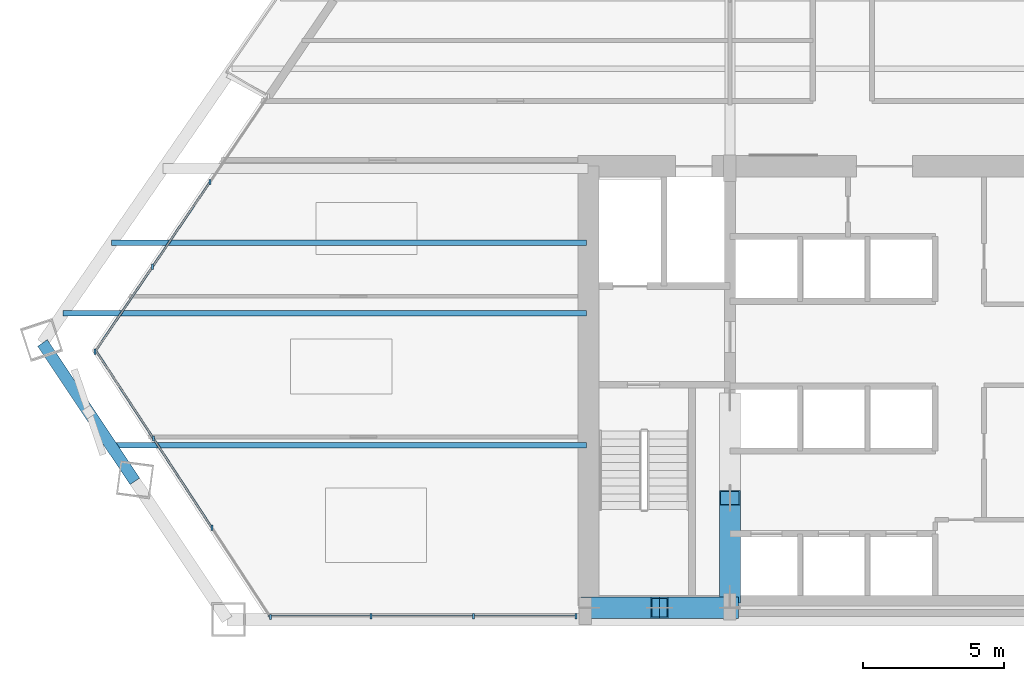
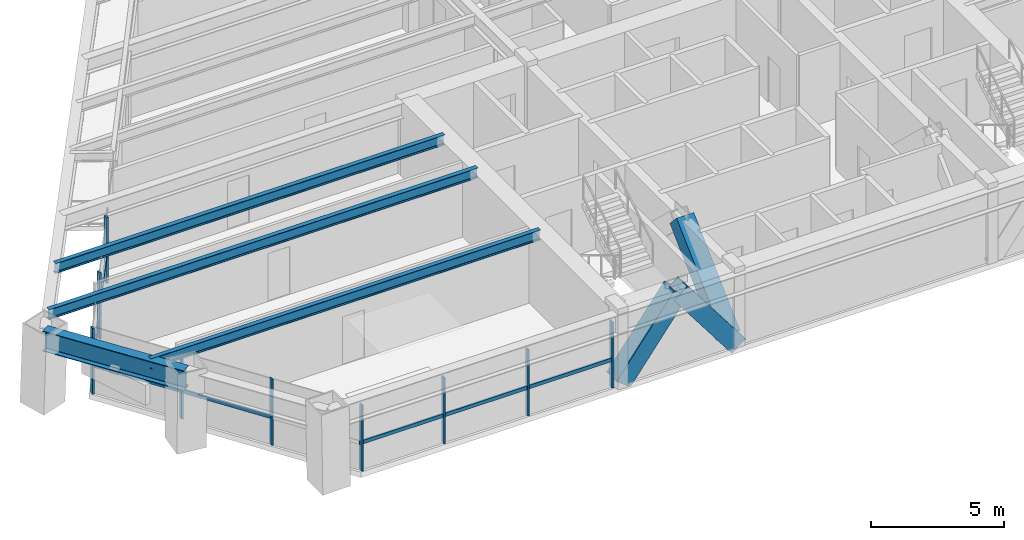
# One storey, part 2 of 14: 19 members, 4 beams, 3 elements without a shape of their own.
"""IFC4 building model written with IfcOpenShell, lengths in metres."""

from ifc_helpers import new_model, si_unit, direction, frame, origin, origin_2d, place, context, subcontext, project, spatial, rectangle, hollow_rectangle, i_section, extrude, source, transform, mapped, material, material_profile, profile_set, type_object, element, aggregate, save


model = new_model("IFC4")

# Units and contexts
model_context = context("Model", 3, precision=1e-05, world=origin(), true_north=direction((0.0, 1.0)))
body_context = subcontext(model_context, "Body", "Model", "MODEL_VIEW")
ifc_project = project(units=[si_unit("LENGTHUNIT", "METRE"), si_unit("AREAUNIT", "SQUARE_METRE"), si_unit("VOLUMEUNIT", "CUBIC_METRE"), si_unit("PLANEANGLEUNIT", "RADIAN"), si_unit("MASSUNIT", "GRAM", prefix="KILO")], contexts=[model_context])

# Site, building, storey
site_placement = place(None, origin())
site = spatial("IfcSite", under=ifc_project, at=site_placement, CompositionType="ELEMENT")
building_placement = place(site_placement, origin())
building = spatial("IfcBuilding", under=site, at=building_placement, Name="Varnakhor Terracotta Tower", CompositionType="ELEMENT")
storey_placement = place(building_placement, frame((0.0, 0.0, 76.60009765625)))
storey = spatial("IfcBuildingStorey", under=building, at=storey_placement, Name="L18", CompositionType="ELEMENT", Elevation=76.60009765625)

# Members
ifc_material_1 = material(Name="Steel S460", Category="steel")
ifc_material_profile_1 = material_profile(ifc_material_1, hollow_rectangle(XDim=0.75, YDim=0.75, WallThickness=0.044921875, at=origin_2d()), Name="HSS750X750X45")
ifc_profile_set_1 = profile_set([ifc_material_profile_1], Name="Steel S460")
member_type_1 = type_object("IfcMemberType", Name="MBR-MEGA-750", PredefinedType="BRACE", material=ifc_profile_set_1)
shared_shape_1 = source(origin(), body_context, "Body", "SweptSolid", [
    extrude(hollow_rectangle(XDim=0.75, YDim=0.75, WallThickness=0.044921875, at=origin_2d()), origin(), (0.0, 0.0, 1.0), 4.139892578125),
])
for number, where, z_axis, x_axis, name in (
    (1, (-10.5, 0.419921875, 0.0), (0.603880396023, 0.0, 0.797074944594), (0.0, 1.0, 0.0), "L18 Core Coupled Brace CSWA"),
    (2, (-5.5, 0.419921875, 0.0), (-0.603880396023, 0.0, 0.797074944594), (0.0, -1.0, 0.0), "L18 Core Coupled Brace CSWB"),
):
    element("IfcMember", number, at=place(storey_placement, frame(where, z_axis=z_axis, x_axis=x_axis)), inside=storey, type_object=member_type_1, Name=name, PredefinedType="BRACE", context=body_context, shape_type="MappedRepresentation", body=[
        mapped(shared_shape_1, transform((0.0, 0.0, 0.0), scale=1.0)),
    ])
shared_shape_2 = source(origin(), body_context, "Body", "SweptSolid", [
    extrude(hollow_rectangle(XDim=0.75, YDim=0.75, WallThickness=0.044921875, at=origin_2d()), origin(), (0.0, 0.0, 1.0), 4.7919921875),
])
member_1_placement = place(storey_placement, frame((-5.5, 0.85009765625, 0.0), z_axis=(0.0, 0.725135524869, 0.688606179592), x_axis=(-1.0, 0.0, 0.0)))
element("IfcMember", 3, at=member_1_placement, inside=storey, type_object=member_type_1, Name="L18 Core Coupled Brace CWWA", PredefinedType="BRACE", context=body_context, shape_type="MappedRepresentation", body=[
    mapped(shared_shape_2, transform((0.0, 0.0, 0.0), scale=1.0)),
])

# Beams
ifc_material_2 = material(Name="Steel S355", Category="steel")
ifc_material_profile_2 = material_profile(ifc_material_2, i_section(OverallWidth=0.41796875, OverallDepth=0.927001953125, WebThickness=0.01904296875, FlangeThickness=0.031982421875, FilletRadius=0.01806640625, at=origin_2d()), Name="W36X231")
ifc_profile_set_2 = profile_set([ifc_material_profile_2], Name="Steel S355")
beam_type_1 = type_object("IfcBeamType", Name="BM-W36X231", PredefinedType="BEAM", material=ifc_profile_set_2)
shared_shape_3 = source(origin(), body_context, "Body", "SweptSolid", [
    extrude(i_section(OverallWidth=0.41796875, OverallDepth=0.927001953125, WebThickness=0.01904296875, FlangeThickness=0.031982421875, FilletRadius=0.01806640625, at=origin_2d()), origin(), (0.0, 0.0, 1.0), 5.916015625),
])
beam_1_placement = place(storey_placement, frame((-29.954345703125, 9.839111328125, 2.986328125), z_axis=(0.555433291021, -0.83156109771, 0.0), x_axis=(0.83156109771, 0.555433291021, 0.0)))
element("IfcBeam", 4, at=beam_1_placement, inside=storey, type_object=beam_type_1, Name="L18 Perimeter Spandrel 7", PredefinedType="BEAM", context=body_context, shape_type="MappedRepresentation", body=[
    mapped(shared_shape_3, transform((0.0, 0.0, 0.0), scale=1.0)),
])
ifc_material_profile_3 = material_profile(ifc_material_2, i_section(OverallWidth=0.19189453125, OverallDepth=0.462890625, WebThickness=0.010498046875, FlangeThickness=0.017578125, FilletRadius=0.01806640625, at=origin_2d()), Name="W18X60")
ifc_profile_set_3 = profile_set([ifc_material_profile_3], Name="Steel S355")
beam_type_2 = type_object("IfcBeamType", Name="JST-W18X60", PredefinedType="JOIST", material=ifc_profile_set_3)
shared_shape_4 = source(origin(), body_context, "Body", "SweptSolid", [
    extrude(i_section(OverallWidth=0.19189453125, OverallDepth=0.462890625, WebThickness=0.010498046875, FlangeThickness=0.017578125, FilletRadius=0.01806640625, at=origin_2d()), origin(), (0.0, 0.0, 1.0), 16.923583984375),
])
beam_2_placement = place(storey_placement, frame((-27.523681640625, 6.199951171875, 3.218505859375), z_axis=(1.0, 0.0, 0.0), x_axis=(0.0, 1.0, 0.0)))
element("IfcBeam", 5, at=beam_2_placement, inside=storey, type_object=beam_type_2, Name="L18 Floor Joist W1", PredefinedType="JOIST", context=body_context, shape_type="MappedRepresentation", body=[
    mapped(shared_shape_4, transform((0.0, 0.0, 0.0), scale=1.0)),
])
shared_shape_5 = source(origin(), body_context, "Body", "SweptSolid", [
    extrude(i_section(OverallWidth=0.19189453125, OverallDepth=0.462890625, WebThickness=0.010498046875, FlangeThickness=0.017578125, FilletRadius=0.01806640625, at=origin_2d()), origin(), (0.0, 0.0, 1.0), 18.621826171875),
])
beam_3_placement = place(storey_placement, frame((-29.221923828125, 10.89990234375, 3.218505859375), z_axis=(1.0, 0.0, 0.0), x_axis=(0.0, 1.0, 0.0)))
element("IfcBeam", 6, at=beam_3_placement, inside=storey, type_object=beam_type_2, Name="L18 Floor Joist W2", PredefinedType="JOIST", context=body_context, shape_type="MappedRepresentation", body=[
    mapped(shared_shape_5, transform((0.0, 0.0, 0.0), scale=1.0)),
])
shared_shape_6 = source(origin(), body_context, "Body", "SweptSolid", [
    extrude(i_section(OverallWidth=0.19189453125, OverallDepth=0.462890625, WebThickness=0.010498046875, FlangeThickness=0.017578125, FilletRadius=0.01806640625, at=origin_2d()), origin(), (0.0, 0.0, 1.0), 16.895751953125),
])
beam_4_placement = place(storey_placement, frame((-27.495849609375, 13.39990234375, 3.218505859375), z_axis=(1.0, 0.0, 0.0), x_axis=(0.0, 1.0, 0.0)))
element("IfcBeam", 7, at=beam_4_placement, inside=storey, type_object=beam_type_2, Name="L18 Floor Joist W3", PredefinedType="JOIST", context=body_context, shape_type="MappedRepresentation", body=[
    mapped(shared_shape_6, transform((0.0, 0.0, 0.0), scale=1.0)),
])

# Curtain wall, members
ifc_material_3 = material(Name="Anodised Aluminium Curtain Wall System", Category="aluminium")
curtain_wall_type = type_object("IfcCurtainWallType", Name="CW-SYS-LOW-OFFICE", PredefinedType="NOTDEFINED", material=ifc_material_3)
curtain_wall_1_placement = place(storey_placement, origin())
curtain_wall_1 = element("IfcCurtainWall", 8, at=curtain_wall_1_placement, inside=storey, type_object=curtain_wall_type, Name="L18 W Facet Curtain Wall 1", PredefinedType="NOTDEFINED")
ifc_material_4 = material(Name="Anodised Aluminium 6063-T6", Category="aluminium")
ifc_material_profile_4 = material_profile(ifc_material_4, rectangle(XDim=0.074951171875, YDim=0.18505859375, at=origin_2d()), Name="ALU MULLION 75x185")
ifc_profile_set_4 = profile_set([ifc_material_profile_4], Name="Anodised Aluminium 6063-T6")
member_type_2 = type_object("IfcMemberType", Name="CWM-02", PredefinedType="MULLION", material=ifc_profile_set_4)
shared_shape_7 = source(origin(), body_context, "Body", "SweptSolid", [
    extrude(rectangle(XDim=0.074951171875, YDim=0.18505859375, at=origin_2d()), origin(), (0.0, 0.0, 1.0), 3.02978515625),
])
member_2_placement = place(storey_placement, frame((-28.08447265625, 9.528076171875, 0.0), z_axis=(0.0, 0.0, 1.0), x_axis=(1.0, 0.0, 0.0)))
member_2 = element("IfcMember", 9, at=member_2_placement, type_object=member_type_2, Name="L18 W Facet Curtain Wall 1 Mullion 1", PredefinedType="MULLION", context=body_context, shape_type="MappedRepresentation", body=[
    mapped(shared_shape_7, transform((0.0, 0.0, 0.0), scale=1.0)),
])
member_3_placement = place(storey_placement, frame((-26.03857421875, 12.548095703125, 0.0), z_axis=(0.0, 0.0, 1.0), x_axis=(1.0, 0.0, 0.0)))
member_3 = element("IfcMember", 10, at=member_3_placement, type_object=member_type_2, Name="L18 W Facet Curtain Wall 1 Mullion 2", PredefinedType="MULLION", context=body_context, shape_type="MappedRepresentation", body=[
    mapped(shared_shape_7, transform((0.0, 0.0, 0.0), scale=1.0)),
])
member_4_placement = place(storey_placement, frame((-23.992431640625, 15.568115234375, 0.0), z_axis=(0.0, 0.0, 1.0), x_axis=(1.0, 0.0, 0.0)))
member_4 = element("IfcMember", 11, at=member_4_placement, type_object=member_type_2, Name="L18 W Facet Curtain Wall 1 Mullion 3", PredefinedType="MULLION", context=body_context, shape_type="MappedRepresentation", body=[
    mapped(shared_shape_7, transform((0.0, 0.0, 0.0), scale=1.0)),
])

curtain_wall_2_placement = place(storey_placement, origin())
curtain_wall_2 = element("IfcCurtainWall", 12, at=curtain_wall_2_placement, inside=storey, type_object=curtain_wall_type, Name="L18 South Wing Curtain Wall SSW", PredefinedType="NOTDEFINED")
member_5_placement = place(storey_placement, frame((-10.969970703125, 0.1201171875, 0.0), z_axis=(0.0, 0.0, 1.0), x_axis=(1.0, 0.0, 0.0)))
member_5 = element("IfcMember", 13, at=member_5_placement, type_object=member_type_2, Name="L18 South Wing Curtain Wall SSW Mullion 1", PredefinedType="MULLION", context=body_context, shape_type="MappedRepresentation", body=[
    mapped(shared_shape_7, transform((0.0, 0.0, 0.0), scale=1.0)),
])
member_6_placement = place(storey_placement, frame((-14.62109375, 0.1201171875, 0.0), z_axis=(0.0, 0.0, 1.0), x_axis=(1.0, 0.0, 0.0)))
member_6 = element("IfcMember", 14, at=member_6_placement, type_object=member_type_2, Name="L18 South Wing Curtain Wall SSW Mullion 2", PredefinedType="MULLION", context=body_context, shape_type="MappedRepresentation", body=[
    mapped(shared_shape_7, transform((0.0, 0.0, 0.0), scale=1.0)),
])
member_7_placement = place(storey_placement, frame((-18.27197265625, 0.1201171875, 0.0), z_axis=(0.0, 0.0, 1.0), x_axis=(1.0, 0.0, 0.0)))
member_7 = element("IfcMember", 15, at=member_7_placement, type_object=member_type_2, Name="L18 South Wing Curtain Wall SSW Mullion 3", PredefinedType="MULLION", context=body_context, shape_type="MappedRepresentation", body=[
    mapped(shared_shape_7, transform((0.0, 0.0, 0.0), scale=1.0)),
])

curtain_wall_3_placement = place(storey_placement, origin())
curtain_wall_3 = element("IfcCurtainWall", 16, at=curtain_wall_3_placement, inside=storey, type_object=curtain_wall_type, Name="L18 Facet Curtain Wall 6", PredefinedType="NOTDEFINED")
member_8_placement = place(storey_placement, frame((-21.848876953125, 0.0908203125, 0.0), z_axis=(0.0, 0.0, 1.0), x_axis=(1.0, 0.0, 0.0)))
member_8 = element("IfcMember", 17, at=member_8_placement, type_object=member_type_2, Name="L18 Facet Curtain Wall 6 Mullion 1", PredefinedType="MULLION", context=body_context, shape_type="MappedRepresentation", body=[
    mapped(shared_shape_7, transform((0.0, 0.0, 0.0), scale=1.0)),
])
member_9_placement = place(storey_placement, frame((-23.92724609375, 3.264404296875, 0.0), z_axis=(0.0, 0.0, 1.0), x_axis=(1.0, 0.0, 0.0)))
member_9 = element("IfcMember", 18, at=member_9_placement, type_object=member_type_2, Name="L18 Facet Curtain Wall 6 Mullion 2", PredefinedType="MULLION", context=body_context, shape_type="MappedRepresentation", body=[
    mapped(shared_shape_7, transform((0.0, 0.0, 0.0), scale=1.0)),
])
member_10_placement = place(storey_placement, frame((-26.005615234375, 6.437744140625, 0.0), z_axis=(0.0, 0.0, 1.0), x_axis=(1.0, 0.0, 0.0)))
member_10 = element("IfcMember", 19, at=member_10_placement, type_object=member_type_2, Name="L18 Facet Curtain Wall 6 Mullion 3", PredefinedType="MULLION", context=body_context, shape_type="MappedRepresentation", body=[
    mapped(shared_shape_7, transform((0.0, 0.0, 0.0), scale=1.0)),
])

# Member
ifc_material_profile_5 = material_profile(ifc_material_4, rectangle(XDim=0.074951171875, YDim=0.1650390625, at=origin_2d()), Name="ALU TRANSOM 75x165")
ifc_profile_set_5 = profile_set([ifc_material_profile_5], Name="Anodised Aluminium 6063-T6")
member_type_3 = type_object("IfcMemberType", Name="CWT-02", PredefinedType="USERDEFINED", material=ifc_profile_set_5)
shared_shape_8 = source(origin(), body_context, "Body", "SweptSolid", [
    extrude(rectangle(XDim=0.074951171875, YDim=0.1650390625, at=origin_2d()), origin(), (0.0, 0.0, 1.0), 3.647705078125),
])
member_11_placement = place(storey_placement, frame((-28.08447265625, 9.528076171875, 1.2724609375), z_axis=(0.560862943877, 0.827908665365, 0.0), x_axis=(-0.827908665365, 0.560862943877, 0.0)))
member_11 = element("IfcMember", 20, at=member_11_placement, type_object=member_type_3, Name="L18 W Facet Curtain Wall 1 Transom 1", ObjectType="TRANSOM", PredefinedType="USERDEFINED", context=body_context, shape_type="MappedRepresentation", body=[
    mapped(shared_shape_8, transform((0.0, 0.0, 0.0), scale=1.0)),
])

shared_shape_9 = source(origin(), body_context, "Body", "SweptSolid", [
    extrude(rectangle(XDim=0.074951171875, YDim=0.1650390625, at=origin_2d()), origin(), (0.0, 0.0, 1.0), 3.64794921875),
])
member_12_placement = place(storey_placement, frame((-26.03857421875, 12.548095703125, 1.2724609375), z_axis=(0.560908816453, 0.827877587343, 0.0), x_axis=(-0.827877587343, 0.560908816453, 0.0)))
member_12 = element("IfcMember", 21, at=member_12_placement, type_object=member_type_3, Name="L18 W Facet Curtain Wall 1 Transom 2", ObjectType="TRANSOM", PredefinedType="USERDEFINED", context=body_context, shape_type="MappedRepresentation", body=[
    mapped(shared_shape_9, transform((0.0, 0.0, 0.0), scale=1.0)),
])

aggregate(curtain_wall_1, [member_2, member_11, member_3, member_12, member_4])

shared_shape_10 = source(origin(), body_context, "Body", "SweptSolid", [
    extrude(rectangle(XDim=0.074951171875, YDim=0.1650390625, at=origin_2d()), origin(), (0.0, 0.0, 1.0), 3.651123046875),
])
member_13_placement = place(storey_placement, frame((-10.969970703125, 0.1201171875, 1.2724609375), z_axis=(-1.0, 0.0, 0.0), x_axis=(0.0, -1.0, 0.0)))
member_13 = element("IfcMember", 22, at=member_13_placement, type_object=member_type_3, Name="L18 South Wing Curtain Wall SSW Transom 1", ObjectType="TRANSOM", PredefinedType="USERDEFINED", context=body_context, shape_type="MappedRepresentation", body=[
    mapped(shared_shape_10, transform((0.0, 0.0, 0.0), scale=1.0)),
])

shared_shape_11 = source(origin(), body_context, "Body", "SweptSolid", [
    extrude(rectangle(XDim=0.074951171875, YDim=0.1650390625, at=origin_2d()), origin(), (0.0, 0.0, 1.0), 3.65087890625),
])
member_14_placement = place(storey_placement, frame((-14.62109375, 0.1201171875, 1.2724609375), z_axis=(-1.0, 0.0, 0.0), x_axis=(0.0, -1.0, 0.0)))
member_14 = element("IfcMember", 23, at=member_14_placement, type_object=member_type_3, Name="L18 South Wing Curtain Wall SSW Transom 2", ObjectType="TRANSOM", PredefinedType="USERDEFINED", context=body_context, shape_type="MappedRepresentation", body=[
    mapped(shared_shape_11, transform((0.0, 0.0, 0.0), scale=1.0)),
])

member_15_placement = place(storey_placement, frame((-18.27197265625, 0.1201171875, 1.2724609375), z_axis=(-1.0, 0.0, 0.0), x_axis=(0.0, -1.0, 0.0)))
member_15 = element("IfcMember", 24, at=member_15_placement, type_object=member_type_3, Name="L18 South Wing Curtain Wall SSW Transom 3", ObjectType="TRANSOM", PredefinedType="USERDEFINED", context=body_context, shape_type="MappedRepresentation", body=[
    mapped(shared_shape_11, transform((0.0, 0.0, 0.0), scale=1.0)),
])

aggregate(curtain_wall_2, [member_5, member_13, member_6, member_14, member_7, member_15])

shared_shape_12 = source(origin(), body_context, "Body", "SweptSolid", [
    extrude(rectangle(XDim=0.074951171875, YDim=0.1650390625, at=origin_2d()), origin(), (0.0, 0.0, 1.0), 3.79345703125),
])
member_16_placement = place(storey_placement, frame((-23.92724609375, 3.264404296875, 1.2724609375), z_axis=(-0.547894264881, 0.836547592496, 0.0), x_axis=(-0.836547592496, -0.547894264881, 0.0)))
member_16 = element("IfcMember", 25, at=member_16_placement, type_object=member_type_3, Name="L18 Facet Curtain Wall 6 Transom 2", ObjectType="TRANSOM", PredefinedType="USERDEFINED", context=body_context, shape_type="MappedRepresentation", body=[
    mapped(shared_shape_12, transform((0.0, 0.0, 0.0), scale=1.0)),
])

shared_shape_13 = source(origin(), body_context, "Body", "SweptSolid", [
    extrude(rectangle(XDim=0.074951171875, YDim=0.1650390625, at=origin_2d()), origin(), (0.0, 0.0, 1.0), 3.793212890625),
])
member_17_placement = place(storey_placement, frame((-26.005615234375, 6.437744140625, 1.2724609375), z_axis=(-0.547849222805, 0.836577090932, 0.0), x_axis=(-0.836577090932, -0.547849222805, 0.0)))
member_17 = element("IfcMember", 26, at=member_17_placement, type_object=member_type_3, Name="L18 Facet Curtain Wall 6 Transom 3", ObjectType="TRANSOM", PredefinedType="USERDEFINED", context=body_context, shape_type="MappedRepresentation", body=[
    mapped(shared_shape_13, transform((0.0, 0.0, 0.0), scale=1.0)),
])

aggregate(curtain_wall_3, [member_8, member_9, member_16, member_10, member_17])

save(model, "model.ifc")
